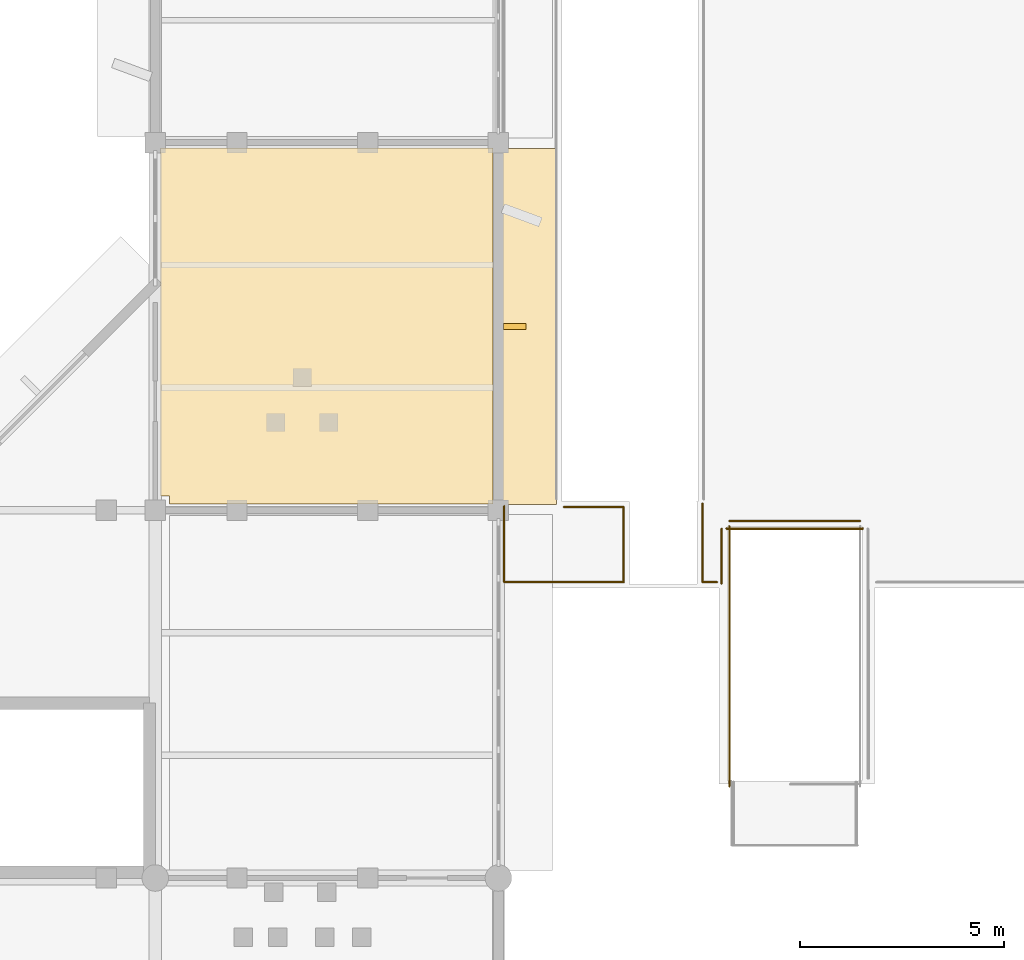
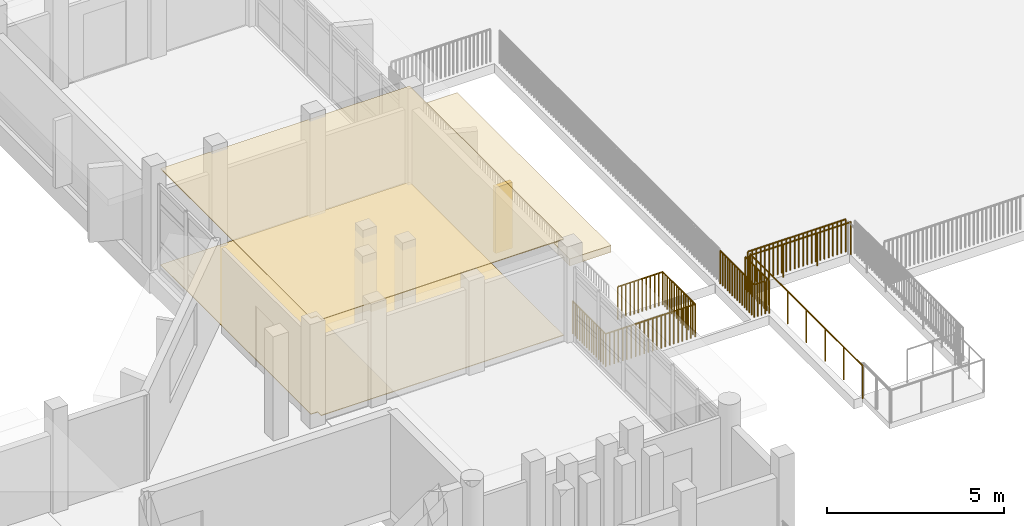
# One storey, part 78 of 92: 10 railings, 3 coverings, 1 shading device.
"""IFC4 building model written with IfcOpenShell, lengths in metres."""

from ifc_helpers import new_model, si_unit, direction, frame, origin, origin_2d, place, context, subcontext, project, spatial, polyline, rectangle, circle, outline, extrude, material, layer, layer_set, type_object, element, save


model = new_model("IFC4")

# Units and contexts
model_context = context("Model", 3, precision=1e-05, world=origin(), true_north=direction((0.0, 1.0)))
body_context = subcontext(model_context, "Body", "Model", "MODEL_VIEW")
ifc_project = project(units=[si_unit("LENGTHUNIT", "METRE"), si_unit("AREAUNIT", "SQUARE_METRE"), si_unit("VOLUMEUNIT", "CUBIC_METRE"), si_unit("PLANEANGLEUNIT", "RADIAN"), si_unit("MASSUNIT", "GRAM", prefix="KILO")], contexts=[model_context])

# Site, building, storey
site_placement = place(None, origin())
site = spatial("IfcSite", under=ifc_project, at=site_placement, CompositionType="ELEMENT")
building_placement = place(site_placement, origin())
building = spatial("IfcBuilding", under=site, at=building_placement, Name="Vanh Quang Courtyard School", CompositionType="ELEMENT")
storey_placement = place(building_placement, frame((0.0, 0.0, 7.800048828125)))
storey = spatial("IfcBuildingStorey", under=building, at=storey_placement, Name="L02", CompositionType="ELEMENT", Elevation=7.800048828125)

# Coverings
ifc_material_1 = material(Name="Perforated mineral-fibre acoustic ceiling board")
ifc_layer_1 = layer(ifc_material_1, 0.02490234375)
ifc_layer_set_1 = layer_set([ifc_layer_1], Name="Perforated mineral-fibre acoustic ceiling board")
covering_type_1 = type_object("IfcCoveringType", Name="COV-CEIL-ACOUSTIC", PredefinedType="CEILING", material=ifc_layer_set_1)
covering_1_placement = place(storey_placement, frame((0.0, 0.0, 3.31494140625)))
element("IfcCovering", 1, at=covering_1_placement, inside=storey, type_object=covering_type_1, Name="Covering CV-CL1 (L02)", PredefinedType="CEILING", context=body_context, shape_type="SweptSolid", body=[
    extrude(outline(polyline([(111.35009765625, 41.550048828125), (111.35009765625, 41.75), (111.1298828125, 41.75), (111.1298828125, 50.260009765625), (111.1298828125, 50.260986328125), (111.130126953125, 50.261962890625), (111.13037109375, 50.262939453125), (111.130859375, 50.263916015625), (111.131103515625, 50.2646484375), (111.131591796875, 50.265625), (111.13232421875, 50.266357421875), (111.1328125, 50.26708984375), (111.1337890625, 50.267578125), (111.134521484375, 50.268310546875), (111.13525390625, 50.268798828125), (111.13623046875, 50.269287109375), (111.13720703125, 50.26953125), (111.137939453125, 50.269775390625), (111.138916015625, 50.27001953125), (111.139892578125, 50.27001953125), (119.260009765625, 50.27001953125), (119.260986328125, 50.27001953125), (119.261962890625, 50.269775390625), (119.262939453125, 50.26953125), (119.263916015625, 50.269287109375), (119.2646484375, 50.268798828125), (119.265625, 50.268310546875), (119.266357421875, 50.267578125), (119.26708984375, 50.26708984375), (119.267578125, 50.266357421875), (119.268310546875, 50.265625), (119.268798828125, 50.2646484375), (119.269287109375, 50.263916015625), (119.26953125, 50.262939453125), (119.269775390625, 50.261962890625), (119.27001953125, 50.260986328125), (119.27001953125, 50.260009765625), (119.27001953125, 41.56005859375), (119.27001953125, 41.55908203125), (119.269775390625, 41.55810546875), (119.26953125, 41.55712890625), (119.269287109375, 41.55615234375), (119.268798828125, 41.555419921875), (119.268310546875, 41.554443359375), (119.267578125, 41.5537109375), (119.26708984375, 41.552978515625), (119.266357421875, 41.55224609375), (119.265625, 41.5517578125), (119.2646484375, 41.55126953125), (119.263916015625, 41.55078125), (119.262939453125, 41.55029296875), (119.261962890625, 41.55029296875), (119.260986328125, 41.550048828125), (119.260009765625, 41.550048828125), (111.35009765625, 41.550048828125)])), origin(), (0.0, 0.0, 1.0), 0.02490234375),
])
ifc_material_2 = material(Name="Polished cementitious terrazzo tile", Category="concrete")
ifc_layer_2 = layer(ifc_material_2, 0.02001953125)
ifc_layer_set_2 = layer_set([ifc_layer_2], Name="Polished cementitious terrazzo tile")
covering_type_2 = type_object("IfcCoveringType", Name="COV-FLR-TERRAZZO", PredefinedType="FLOORING", material=ifc_layer_set_2)
covering_2_placement = place(storey_placement, origin())
element("IfcCovering", 2, at=covering_2_placement, inside=storey, type_object=covering_type_2, Name="Covering CV-FL1 (L02)", PredefinedType="FLOORING", context=body_context, shape_type="SweptSolid", body=[
    extrude(outline(polyline([(111.35009765625, 41.550048828125), (111.35009765625, 41.75), (111.1298828125, 41.75), (111.1298828125, 50.260009765625), (111.1298828125, 50.260986328125), (111.130126953125, 50.261962890625), (111.13037109375, 50.262939453125), (111.130859375, 50.263916015625), (111.131103515625, 50.2646484375), (111.131591796875, 50.265625), (111.13232421875, 50.266357421875), (111.1328125, 50.26708984375), (111.1337890625, 50.267578125), (111.134521484375, 50.268310546875), (111.13525390625, 50.268798828125), (111.13623046875, 50.269287109375), (111.13720703125, 50.26953125), (111.137939453125, 50.269775390625), (111.138916015625, 50.27001953125), (111.139892578125, 50.27001953125), (119.260009765625, 50.27001953125), (119.260986328125, 50.27001953125), (119.261962890625, 50.269775390625), (119.262939453125, 50.26953125), (119.263916015625, 50.269287109375), (119.2646484375, 50.268798828125), (119.265625, 50.268310546875), (119.266357421875, 50.267578125), (119.26708984375, 50.26708984375), (119.267578125, 50.266357421875), (119.268310546875, 50.265625), (119.268798828125, 50.2646484375), (119.269287109375, 50.263916015625), (119.26953125, 50.262939453125), (119.269775390625, 50.261962890625), (119.27001953125, 50.260986328125), (119.27001953125, 50.260009765625), (119.27001953125, 41.56005859375), (119.27001953125, 41.55908203125), (119.269775390625, 41.55810546875), (119.26953125, 41.55712890625), (119.269287109375, 41.55615234375), (119.268798828125, 41.555419921875), (119.268310546875, 41.554443359375), (119.267578125, 41.5537109375), (119.26708984375, 41.552978515625), (119.266357421875, 41.55224609375), (119.265625, 41.5517578125), (119.2646484375, 41.55126953125), (119.263916015625, 41.55078125), (119.262939453125, 41.55029296875), (119.261962890625, 41.55029296875), (119.260986328125, 41.550048828125), (119.260009765625, 41.550048828125), (111.35009765625, 41.550048828125)])), origin(), (0.0, 0.0, 1.0), 0.02001953125),
])
ifc_material_3 = material(Name="Board-marked precast concrete C40/50", Category="concrete")
ifc_layer_3 = layer(ifc_material_3, 0.239990234375)
ifc_layer_set_3 = layer_set([ifc_layer_3], Name="Board-marked precast concrete C40/50")
covering_type_3 = type_object("IfcCoveringType", Name="COV-HOOD-CONC", PredefinedType="CLADDING", material=ifc_layer_set_3)
covering_3_placement = place(storey_placement, frame((120.139892578125, 45.89990234375, 2.33984375), z_axis=(0.0, 0.0, 1.0), x_axis=(0.0, -1.0, 0.0)))
element("IfcCovering", 3, at=covering_3_placement, inside=storey, type_object=covering_type_3, Name="Covering CH-01 (L02)", PredefinedType="CLADDING", context=body_context, shape_type="SweptSolid", body=[
    extrude(rectangle(XDim=8.7041015625, YDim=1.35009765625, at=origin_2d()), origin(), (0.0, 0.0, 1.0), 0.239990234375),
])

# Railings
ifc_material_4 = material(Name="Galvanised painted steel EN 10025-2 S355J2", Category="steel")
railing_type = type_object("IfcRailingType", Name="RAIL-GUARD-1150", PredefinedType="BALUSTRADE", material=ifc_material_4)
railing_1_placement = place(storey_placement, frame((119.5400390625, 39.639892578125, 0.0)))
element("IfcRailing", 4, at=railing_1_placement, inside=storey, type_object=railing_type, Name="Railing GR-01 (L02)", PredefinedType="BALUSTRADE", context=body_context, shape_type="SweptSolid", body=[
    extrude(circle(Radius=0.02392578125, at=origin_2d()), frame((0.0, 0.0, 1.1259765625), z_axis=(0.0, 1.0, 0.0), x_axis=(-1.0, 0.0, 0.0)), (0.0, 0.0, 1.0), 1.865478515625),
    extrude(circle(Radius=0.02099609375, at=origin_2d()), origin(), (0.0, 0.0, 1.0), 1.101806640625),
    extrude(circle(Radius=0.02099609375, at=origin_2d()), frame((0.0, 0.13330078125, 0.0)), (0.0, 0.0, 1.0), 1.101806640625),
    extrude(circle(Radius=0.02099609375, at=origin_2d()), frame((0.0, 0.2666015625, 0.0)), (0.0, 0.0, 1.0), 1.101806640625),
    extrude(circle(Radius=0.02099609375, at=origin_2d()), frame((0.0, 0.399658203125, 0.0)), (0.0, 0.0, 1.0), 1.101806640625),
    extrude(circle(Radius=0.02099609375, at=origin_2d()), frame((0.0, 0.532958984375, 0.0)), (0.0, 0.0, 1.0), 1.101806640625),
    extrude(circle(Radius=0.02099609375, at=origin_2d()), frame((0.0, 0.666259765625, 0.0)), (0.0, 0.0, 1.0), 1.101806640625),
    extrude(circle(Radius=0.02099609375, at=origin_2d()), frame((0.0, 0.799560546875, 0.0)), (0.0, 0.0, 1.0), 1.101806640625),
    extrude(circle(Radius=0.02099609375, at=origin_2d()), frame((0.0, 0.9326171875, 0.0)), (0.0, 0.0, 1.0), 1.101806640625),
    extrude(circle(Radius=0.02099609375, at=origin_2d()), frame((0.0, 1.06591796875, 0.0)), (0.0, 0.0, 1.0), 1.101806640625),
    extrude(circle(Radius=0.02099609375, at=origin_2d()), frame((0.0, 1.19921875, 0.0)), (0.0, 0.0, 1.0), 1.101806640625),
    extrude(circle(Radius=0.02099609375, at=origin_2d()), frame((0.0, 1.33251953125, 0.0)), (0.0, 0.0, 1.0), 1.101806640625),
    extrude(circle(Radius=0.02099609375, at=origin_2d()), frame((0.0, 1.4658203125, 0.0)), (0.0, 0.0, 1.0), 1.101806640625),
    extrude(circle(Radius=0.02099609375, at=origin_2d()), frame((0.0, 1.598876953125, 0.0)), (0.0, 0.0, 1.0), 1.101806640625),
    extrude(circle(Radius=0.02099609375, at=origin_2d()), frame((0.0, 1.732177734375, 0.0)), (0.0, 0.0, 1.0), 1.101806640625),
    extrude(circle(Radius=0.02099609375, at=origin_2d()), frame((0.0, 1.865478515625, 0.0)), (0.0, 0.0, 1.0), 1.101806640625),
])
railing_2_placement = place(storey_placement, frame((128.25, 41.139892578125, 0.0)))
element("IfcRailing", 5, at=railing_2_placement, inside=storey, type_object=railing_type, Name="Railing GR-01 (L02)", PredefinedType="BALUSTRADE", context=body_context, shape_type="SweptSolid", body=[
    extrude(circle(Radius=0.02392578125, at=origin_2d()), frame((0.0, 0.0, 1.1259765625), z_axis=(-1.0, 0.0, 0.0), x_axis=(0.0, -1.0, 0.0)), (0.0, 0.0, 1.0), 3.199951171875),
    extrude(circle(Radius=0.02099609375, at=origin_2d()), origin(), (0.0, 0.0, 1.0), 1.101806640625),
    extrude(circle(Radius=0.02099609375, at=origin_2d()), frame((-0.13916015625, 0.0, 0.0)), (0.0, 0.0, 1.0), 1.101806640625),
    extrude(circle(Radius=0.02099609375, at=origin_2d()), frame((-0.2783203125, 0.0, 0.0)), (0.0, 0.0, 1.0), 1.101806640625),
    extrude(circle(Radius=0.02099609375, at=origin_2d()), frame((-0.41748046875, 0.0, 0.0)), (0.0, 0.0, 1.0), 1.101806640625),
    extrude(circle(Radius=0.02099609375, at=origin_2d()), frame((-0.556396484375, 0.0, 0.0)), (0.0, 0.0, 1.0), 1.101806640625),
    extrude(circle(Radius=0.02099609375, at=origin_2d()), frame((-0.695556640625, 0.0, 0.0)), (0.0, 0.0, 1.0), 1.101806640625),
    extrude(circle(Radius=0.02099609375, at=origin_2d()), frame((-0.834716796875, 0.0, 0.0)), (0.0, 0.0, 1.0), 1.101806640625),
    extrude(circle(Radius=0.02099609375, at=origin_2d()), frame((-0.973876953125, 0.0, 0.0)), (0.0, 0.0, 1.0), 1.101806640625),
    extrude(circle(Radius=0.02099609375, at=origin_2d()), frame((-1.113037109375, 0.0, 0.0)), (0.0, 0.0, 1.0), 1.101806640625),
    extrude(circle(Radius=0.02099609375, at=origin_2d()), frame((-1.252197265625, 0.0, 0.0)), (0.0, 0.0, 1.0), 1.101806640625),
    extrude(circle(Radius=0.02099609375, at=origin_2d()), frame((-1.391357421875, 0.0, 0.0)), (0.0, 0.0, 1.0), 1.101806640625),
    extrude(circle(Radius=0.02099609375, at=origin_2d()), frame((-1.530517578125, 0.0, 0.0)), (0.0, 0.0, 1.0), 1.101806640625),
    extrude(circle(Radius=0.02099609375, at=origin_2d()), frame((-1.66943359375, 0.0, 0.0)), (0.0, 0.0, 1.0), 1.101806640625),
    extrude(circle(Radius=0.02099609375, at=origin_2d()), frame((-1.80859375, 0.0, 0.0)), (0.0, 0.0, 1.0), 1.101806640625),
    extrude(circle(Radius=0.02099609375, at=origin_2d()), frame((-1.94775390625, 0.0, 0.0)), (0.0, 0.0, 1.0), 1.101806640625),
    extrude(circle(Radius=0.02099609375, at=origin_2d()), frame((-2.0869140625, 0.0, 0.0)), (0.0, 0.0, 1.0), 1.101806640625),
    extrude(circle(Radius=0.02099609375, at=origin_2d()), frame((-2.22607421875, 0.0, 0.0)), (0.0, 0.0, 1.0), 1.101806640625),
    extrude(circle(Radius=0.02099609375, at=origin_2d()), frame((-2.365234375, 0.0, 0.0)), (0.0, 0.0, 1.0), 1.101806640625),
    extrude(circle(Radius=0.02099609375, at=origin_2d()), frame((-2.50439453125, 0.0, 0.0)), (0.0, 0.0, 1.0), 1.101806640625),
    extrude(circle(Radius=0.02099609375, at=origin_2d()), frame((-2.6435546875, 0.0, 0.0)), (0.0, 0.0, 1.0), 1.101806640625),
    extrude(circle(Radius=0.02099609375, at=origin_2d()), frame((-2.782470703125, 0.0, 0.0)), (0.0, 0.0, 1.0), 1.101806640625),
    extrude(circle(Radius=0.02099609375, at=origin_2d()), frame((-2.921630859375, 0.0, 0.0)), (0.0, 0.0, 1.0), 1.101806640625),
    extrude(circle(Radius=0.02099609375, at=origin_2d()), frame((-3.060791015625, 0.0, 0.0)), (0.0, 0.0, 1.0), 1.101806640625),
    extrude(circle(Radius=0.02099609375, at=origin_2d()), frame((-3.199951171875, 0.0, 0.0)), (0.0, 0.0, 1.0), 1.101806640625),
])
railing_3_placement = place(storey_placement, frame((124.860107421875, 40.949951171875, 0.0)))
element("IfcRailing", 6, at=railing_3_placement, inside=storey, type_object=railing_type, Name="Railing GR-01 (L02)", PredefinedType="BALUSTRADE", context=body_context, shape_type="SweptSolid", body=[
    extrude(circle(Radius=0.02392578125, at=origin_2d()), frame((0.0, 0.0, 1.1259765625), z_axis=(0.0, -1.0, 0.0), x_axis=(1.0, 0.0, 0.0)), (0.0, 0.0, 1.0), 1.34521484375),
    extrude(circle(Radius=0.02099609375, at=origin_2d()), origin(), (0.0, 0.0, 1.0), 1.101806640625),
    extrude(circle(Radius=0.02099609375, at=origin_2d()), frame((0.0, -0.134521484375, 0.0)), (0.0, 0.0, 1.0), 1.101806640625),
    extrude(circle(Radius=0.02099609375, at=origin_2d()), frame((0.0, -0.26904296875, 0.0)), (0.0, 0.0, 1.0), 1.101806640625),
    extrude(circle(Radius=0.02099609375, at=origin_2d()), frame((0.0, -0.403564453125, 0.0)), (0.0, 0.0, 1.0), 1.101806640625),
    extrude(circle(Radius=0.02099609375, at=origin_2d()), frame((0.0, -0.5380859375, 0.0)), (0.0, 0.0, 1.0), 1.101806640625),
    extrude(circle(Radius=0.02099609375, at=origin_2d()), frame((0.0, -0.672607421875, 0.0)), (0.0, 0.0, 1.0), 1.101806640625),
    extrude(circle(Radius=0.02099609375, at=origin_2d()), frame((0.0, -0.80712890625, 0.0)), (0.0, 0.0, 1.0), 1.101806640625),
    extrude(circle(Radius=0.02099609375, at=origin_2d()), frame((0.0, -0.941650390625, 0.0)), (0.0, 0.0, 1.0), 1.101806640625),
    extrude(circle(Radius=0.02099609375, at=origin_2d()), frame((0.0, -1.076171875, 0.0)), (0.0, 0.0, 1.0), 1.101806640625),
    extrude(circle(Radius=0.02099609375, at=origin_2d()), frame((0.0, -1.210693359375, 0.0)), (0.0, 0.0, 1.0), 1.101806640625),
    extrude(circle(Radius=0.02099609375, at=origin_2d()), frame((0.0, -1.34521484375, 0.0)), (0.0, 0.0, 1.0), 1.101806640625),
])
railing_4_placement = place(storey_placement, frame((124.75, 39.639892578125, 0.0)))
element("IfcRailing", 7, at=railing_4_placement, inside=storey, type_object=railing_type, Name="Railing GR-01 (L02)", PredefinedType="BALUSTRADE", context=body_context, shape_type="SweptSolid", body=[
    extrude(circle(Radius=0.02392578125, at=origin_2d()), frame((0.0, 0.0, 1.1259765625), z_axis=(-1.0, 0.0, 0.0), x_axis=(0.0, -1.0, 0.0)), (0.0, 0.0, 1.0), 0.35498046875),
    extrude(circle(Radius=0.02099609375, at=origin_2d()), origin(), (0.0, 0.0, 1.0), 1.101806640625),
    extrude(circle(Radius=0.02099609375, at=origin_2d()), frame((-0.118408203125, 0.0, 0.0)), (0.0, 0.0, 1.0), 1.101806640625),
    extrude(circle(Radius=0.02099609375, at=origin_2d()), frame((-0.236572265625, 0.0, 0.0)), (0.0, 0.0, 1.0), 1.101806640625),
    extrude(circle(Radius=0.02099609375, at=origin_2d()), frame((-0.35498046875, 0.0, 0.0)), (0.0, 0.0, 1.0), 1.101806640625),
])
railing_5_placement = place(storey_placement, frame((124.39501953125, 39.639892578125, 0.0)))
element("IfcRailing", 8, at=railing_5_placement, inside=storey, type_object=railing_type, Name="Railing GR-01 (L02)", PredefinedType="BALUSTRADE", context=body_context, shape_type="SweptSolid", body=[
    extrude(circle(Radius=0.02392578125, at=origin_2d()), frame((0.0, 0.0, 1.1259765625), z_axis=(0.0, 1.0, 0.0), x_axis=(-1.0, 0.0, 0.0)), (0.0, 0.0, 1.0), 1.925048828125),
    extrude(circle(Radius=0.02099609375, at=origin_2d()), origin(), (0.0, 0.0, 1.0), 1.101806640625),
    extrude(circle(Radius=0.02099609375, at=origin_2d()), frame((0.0, 0.137451171875, 0.0)), (0.0, 0.0, 1.0), 1.101806640625),
    extrude(circle(Radius=0.02099609375, at=origin_2d()), frame((0.0, 0.27490234375, 0.0)), (0.0, 0.0, 1.0), 1.101806640625),
    extrude(circle(Radius=0.02099609375, at=origin_2d()), frame((0.0, 0.41259765625, 0.0)), (0.0, 0.0, 1.0), 1.101806640625),
    extrude(circle(Radius=0.02099609375, at=origin_2d()), frame((0.0, 0.550048828125, 0.0)), (0.0, 0.0, 1.0), 1.101806640625),
    extrude(circle(Radius=0.02099609375, at=origin_2d()), frame((0.0, 0.6875, 0.0)), (0.0, 0.0, 1.0), 1.101806640625),
    extrude(circle(Radius=0.02099609375, at=origin_2d()), frame((0.0, 0.824951171875, 0.0)), (0.0, 0.0, 1.0), 1.101806640625),
    extrude(circle(Radius=0.02099609375, at=origin_2d()), frame((0.0, 0.96240234375, 0.0)), (0.0, 0.0, 1.0), 1.101806640625),
    extrude(circle(Radius=0.02099609375, at=origin_2d()), frame((0.0, 1.10009765625, 0.0)), (0.0, 0.0, 1.0), 1.101806640625),
    extrude(circle(Radius=0.02099609375, at=origin_2d()), frame((0.0, 1.237548828125, 0.0)), (0.0, 0.0, 1.0), 1.101806640625),
    extrude(circle(Radius=0.02099609375, at=origin_2d()), frame((0.0, 1.375, 0.0)), (0.0, 0.0, 1.0), 1.101806640625),
    extrude(circle(Radius=0.02099609375, at=origin_2d()), frame((0.0, 1.512451171875, 0.0)), (0.0, 0.0, 1.0), 1.101806640625),
    extrude(circle(Radius=0.02099609375, at=origin_2d()), frame((0.0, 1.650146484375, 0.0)), (0.0, 0.0, 1.0), 1.101806640625),
    extrude(circle(Radius=0.02099609375, at=origin_2d()), frame((0.0, 1.78759765625, 0.0)), (0.0, 0.0, 1.0), 1.101806640625),
    extrude(circle(Radius=0.02099609375, at=origin_2d()), frame((0.0, 1.925048828125, 0.0)), (0.0, 0.0, 1.0), 1.101806640625),
])
railing_6_placement = place(storey_placement, frame((121.0, 41.47998046875, 0.0)))
element("IfcRailing", 9, at=railing_6_placement, inside=storey, type_object=railing_type, Name="Railing GR-01 (L02)", PredefinedType="BALUSTRADE", context=body_context, shape_type="SweptSolid", body=[
    extrude(circle(Radius=0.02392578125, at=origin_2d()), frame((0.0, 0.0, 1.1259765625), z_axis=(1.0, 0.0, 0.0), x_axis=(0.0, 1.0, 0.0)), (0.0, 0.0, 1.0), 1.465087890625),
    extrude(circle(Radius=0.02099609375, at=origin_2d()), origin(), (0.0, 0.0, 1.0), 1.101806640625),
    extrude(circle(Radius=0.02099609375, at=origin_2d()), frame((0.13330078125, 0.0, 0.0)), (0.0, 0.0, 1.0), 1.101806640625),
    extrude(circle(Radius=0.02099609375, at=origin_2d()), frame((0.266357421875, 0.0, 0.0)), (0.0, 0.0, 1.0), 1.101806640625),
    extrude(circle(Radius=0.02099609375, at=origin_2d()), frame((0.399658203125, 0.0, 0.0)), (0.0, 0.0, 1.0), 1.101806640625),
    extrude(circle(Radius=0.02099609375, at=origin_2d()), frame((0.53271484375, 0.0, 0.0)), (0.0, 0.0, 1.0), 1.101806640625),
    extrude(circle(Radius=0.02099609375, at=origin_2d()), frame((0.666015625, 0.0, 0.0)), (0.0, 0.0, 1.0), 1.101806640625),
    extrude(circle(Radius=0.02099609375, at=origin_2d()), frame((0.799072265625, 0.0, 0.0)), (0.0, 0.0, 1.0), 1.101806640625),
    extrude(circle(Radius=0.02099609375, at=origin_2d()), frame((0.932373046875, 0.0, 0.0)), (0.0, 0.0, 1.0), 1.101806640625),
    extrude(circle(Radius=0.02099609375, at=origin_2d()), frame((1.0654296875, 0.0, 0.0)), (0.0, 0.0, 1.0), 1.101806640625),
    extrude(circle(Radius=0.02099609375, at=origin_2d()), frame((1.19873046875, 0.0, 0.0)), (0.0, 0.0, 1.0), 1.101806640625),
    extrude(circle(Radius=0.02099609375, at=origin_2d()), frame((1.331787109375, 0.0, 0.0)), (0.0, 0.0, 1.0), 1.101806640625),
    extrude(circle(Radius=0.02099609375, at=origin_2d()), frame((1.465087890625, 0.0, 0.0)), (0.0, 0.0, 1.0), 1.101806640625),
])
railing_7_placement = place(storey_placement, frame((122.465087890625, 41.47998046875, 0.0)))
element("IfcRailing", 10, at=railing_7_placement, inside=storey, type_object=railing_type, Name="Railing GR-01 (L02)", PredefinedType="BALUSTRADE", context=body_context, shape_type="SweptSolid", body=[
    extrude(circle(Radius=0.02392578125, at=origin_2d()), frame((0.0, 0.0, 1.1259765625), z_axis=(0.0, -1.0, 0.0), x_axis=(1.0, 0.0, 0.0)), (0.0, 0.0, 1.0), 1.840087890625),
    extrude(circle(Radius=0.02099609375, at=origin_2d()), origin(), (0.0, 0.0, 1.0), 1.101806640625),
    extrude(circle(Radius=0.02099609375, at=origin_2d()), frame((0.0, -0.13134765625, 0.0)), (0.0, 0.0, 1.0), 1.101806640625),
    extrude(circle(Radius=0.02099609375, at=origin_2d()), frame((0.0, -0.262939453125, 0.0)), (0.0, 0.0, 1.0), 1.101806640625),
    extrude(circle(Radius=0.02099609375, at=origin_2d()), frame((0.0, -0.394287109375, 0.0)), (0.0, 0.0, 1.0), 1.101806640625),
    extrude(circle(Radius=0.02099609375, at=origin_2d()), frame((0.0, -0.525634765625, 0.0)), (0.0, 0.0, 1.0), 1.101806640625),
    extrude(circle(Radius=0.02099609375, at=origin_2d()), frame((0.0, -0.6572265625, 0.0)), (0.0, 0.0, 1.0), 1.101806640625),
    extrude(circle(Radius=0.02099609375, at=origin_2d()), frame((0.0, -0.78857421875, 0.0)), (0.0, 0.0, 1.0), 1.101806640625),
    extrude(circle(Radius=0.02099609375, at=origin_2d()), frame((0.0, -0.919921875, 0.0)), (0.0, 0.0, 1.0), 1.101806640625),
    extrude(circle(Radius=0.02099609375, at=origin_2d()), frame((0.0, -1.051513671875, 0.0)), (0.0, 0.0, 1.0), 1.101806640625),
    extrude(circle(Radius=0.02099609375, at=origin_2d()), frame((0.0, -1.182861328125, 0.0)), (0.0, 0.0, 1.0), 1.101806640625),
    extrude(circle(Radius=0.02099609375, at=origin_2d()), frame((0.0, -1.314453125, 0.0)), (0.0, 0.0, 1.0), 1.101806640625),
    extrude(circle(Radius=0.02099609375, at=origin_2d()), frame((0.0, -1.44580078125, 0.0)), (0.0, 0.0, 1.0), 1.101806640625),
    extrude(circle(Radius=0.02099609375, at=origin_2d()), frame((0.0, -1.5771484375, 0.0)), (0.0, 0.0, 1.0), 1.101806640625),
    extrude(circle(Radius=0.02099609375, at=origin_2d()), frame((0.0, -1.708740234375, 0.0)), (0.0, 0.0, 1.0), 1.101806640625),
    extrude(circle(Radius=0.02099609375, at=origin_2d()), frame((0.0, -1.840087890625, 0.0)), (0.0, 0.0, 1.0), 1.101806640625),
])
railing_8_placement = place(storey_placement, frame((122.465087890625, 39.639892578125, 0.0)))
element("IfcRailing", 11, at=railing_8_placement, inside=storey, type_object=railing_type, Name="Railing GR-01 (L02)", PredefinedType="BALUSTRADE", context=body_context, shape_type="SweptSolid", body=[
    extrude(circle(Radius=0.02392578125, at=origin_2d()), frame((0.0, 0.0, 1.1259765625), z_axis=(-1.0, 0.0, 0.0), x_axis=(0.0, -1.0, 0.0)), (0.0, 0.0, 1.0), 2.925048828125),
    extrude(circle(Radius=0.02099609375, at=origin_2d()), origin(), (0.0, 0.0, 1.0), 1.101806640625),
    extrude(circle(Radius=0.02099609375, at=origin_2d()), frame((-0.139404296875, 0.0, 0.0)), (0.0, 0.0, 1.0), 1.101806640625),
    extrude(circle(Radius=0.02099609375, at=origin_2d()), frame((-0.278564453125, 0.0, 0.0)), (0.0, 0.0, 1.0), 1.101806640625),
    extrude(circle(Radius=0.02099609375, at=origin_2d()), frame((-0.41796875, 0.0, 0.0)), (0.0, 0.0, 1.0), 1.101806640625),
    extrude(circle(Radius=0.02099609375, at=origin_2d()), frame((-0.55712890625, 0.0, 0.0)), (0.0, 0.0, 1.0), 1.101806640625),
    extrude(circle(Radius=0.02099609375, at=origin_2d()), frame((-0.696533203125, 0.0, 0.0)), (0.0, 0.0, 1.0), 1.101806640625),
    extrude(circle(Radius=0.02099609375, at=origin_2d()), frame((-0.835693359375, 0.0, 0.0)), (0.0, 0.0, 1.0), 1.101806640625),
    extrude(circle(Radius=0.02099609375, at=origin_2d()), frame((-0.97509765625, 0.0, 0.0)), (0.0, 0.0, 1.0), 1.101806640625),
    extrude(circle(Radius=0.02099609375, at=origin_2d()), frame((-1.1142578125, 0.0, 0.0)), (0.0, 0.0, 1.0), 1.101806640625),
    extrude(circle(Radius=0.02099609375, at=origin_2d()), frame((-1.253662109375, 0.0, 0.0)), (0.0, 0.0, 1.0), 1.101806640625),
    extrude(circle(Radius=0.02099609375, at=origin_2d()), frame((-1.392822265625, 0.0, 0.0)), (0.0, 0.0, 1.0), 1.101806640625),
    extrude(circle(Radius=0.02099609375, at=origin_2d()), frame((-1.5322265625, 0.0, 0.0)), (0.0, 0.0, 1.0), 1.101806640625),
    extrude(circle(Radius=0.02099609375, at=origin_2d()), frame((-1.67138671875, 0.0, 0.0)), (0.0, 0.0, 1.0), 1.101806640625),
    extrude(circle(Radius=0.02099609375, at=origin_2d()), frame((-1.810791015625, 0.0, 0.0)), (0.0, 0.0, 1.0), 1.101806640625),
    extrude(circle(Radius=0.02099609375, at=origin_2d()), frame((-1.949951171875, 0.0, 0.0)), (0.0, 0.0, 1.0), 1.101806640625),
    extrude(circle(Radius=0.02099609375, at=origin_2d()), frame((-2.08935546875, 0.0, 0.0)), (0.0, 0.0, 1.0), 1.101806640625),
    extrude(circle(Radius=0.02099609375, at=origin_2d()), frame((-2.228515625, 0.0, 0.0)), (0.0, 0.0, 1.0), 1.101806640625),
    extrude(circle(Radius=0.02099609375, at=origin_2d()), frame((-2.367919921875, 0.0, 0.0)), (0.0, 0.0, 1.0), 1.101806640625),
    extrude(circle(Radius=0.02099609375, at=origin_2d()), frame((-2.507080078125, 0.0, 0.0)), (0.0, 0.0, 1.0), 1.101806640625),
    extrude(circle(Radius=0.02099609375, at=origin_2d()), frame((-2.646484375, 0.0, 0.0)), (0.0, 0.0, 1.0), 1.101806640625),
    extrude(circle(Radius=0.02099609375, at=origin_2d()), frame((-2.78564453125, 0.0, 0.0)), (0.0, 0.0, 1.0), 1.101806640625),
    extrude(circle(Radius=0.02099609375, at=origin_2d()), frame((-2.925048828125, 0.0, 0.0)), (0.0, 0.0, 1.0), 1.101806640625),
])
railing_9_placement = place(storey_placement, frame((125.050048828125, 34.637939453125, 0.0)))
element("IfcRailing", 12, at=railing_9_placement, inside=storey, type_object=railing_type, Name="L02 ST-T2 top well guard 3", PredefinedType="BALUSTRADE", context=body_context, shape_type="SweptSolid", body=[
    extrude(circle(Radius=0.02392578125, at=origin_2d()), frame((0.0, 0.0, 1.1259765625), z_axis=(0.0, 1.0, 0.0), x_axis=(-1.0, 0.0, 0.0)), (0.0, 0.0, 1.0), 6.3740234375),
    extrude(circle(Radius=0.02099609375, at=origin_2d()), origin(), (0.0, 0.0, 1.0), 1.101806640625),
    extrude(circle(Radius=0.02099609375, at=origin_2d()), frame((0.0, 1.062255859375, 0.0)), (0.0, 0.0, 1.0), 1.101806640625),
    extrude(circle(Radius=0.02099609375, at=origin_2d()), frame((0.0, 2.124755859375, 0.0)), (0.0, 0.0, 1.0), 1.101806640625),
    extrude(circle(Radius=0.02099609375, at=origin_2d()), frame((0.0, 3.18701171875, 0.0)), (0.0, 0.0, 1.0), 1.101806640625),
    extrude(circle(Radius=0.02099609375, at=origin_2d()), frame((0.0, 4.249267578125, 0.0)), (0.0, 0.0, 1.0), 1.101806640625),
    extrude(circle(Radius=0.02099609375, at=origin_2d()), frame((0.0, 5.311767578125, 0.0)), (0.0, 0.0, 1.0), 1.101806640625),
    extrude(circle(Radius=0.02099609375, at=origin_2d()), frame((0.0, 6.3740234375, 0.0)), (0.0, 0.0, 1.0), 1.101806640625),
])
railing_10_placement = place(storey_placement, frame((128.31201171875, 40.949951171875, 0.0)))
element("IfcRailing", 13, at=railing_10_placement, inside=storey, type_object=railing_type, Name="L02 ST-T2 top well guard 4", PredefinedType="BALUSTRADE", context=body_context, shape_type="SweptSolid", body=[
    extrude(circle(Radius=0.02392578125, at=origin_2d()), frame((0.0, 0.0, 1.1259765625), z_axis=(-1.0, 0.0, 0.0), x_axis=(0.0, -1.0, 0.0)), (0.0, 0.0, 1.0), 3.323974609375),
    extrude(circle(Radius=0.02099609375, at=origin_2d()), origin(), (0.0, 0.0, 1.0), 1.101806640625),
    extrude(circle(Radius=0.02099609375, at=origin_2d()), frame((-1.10791015625, 0.0, 0.0)), (0.0, 0.0, 1.0), 1.101806640625),
    extrude(circle(Radius=0.02099609375, at=origin_2d()), frame((-2.216064453125, 0.0, 0.0)), (0.0, 0.0, 1.0), 1.101806640625),
    extrude(circle(Radius=0.02099609375, at=origin_2d()), frame((-3.323974609375, 0.0, 0.0)), (0.0, 0.0, 1.0), 1.101806640625),
])

# Shading device
shading_device_type = type_object("IfcShadingDeviceType", Name="SHD-FIN-CONCRETE", PredefinedType="USERDEFINED", material=ifc_material_3)
shading_device_placement = place(storey_placement, frame((119.794921875, 45.89990234375, 0.14990234375), z_axis=(0.0, 0.0, 1.0), x_axis=(0.0, -1.0, 0.0)))
element("IfcShadingDevice", 14, at=shading_device_placement, inside=storey, type_object=shading_device_type, Name="Solar Shading SH-02 (L02)", ObjectType="Solar Shading SH-02 (L02)", PredefinedType="USERDEFINED", context=body_context, shape_type="SweptSolid", body=[
    extrude(rectangle(XDim=0.139892578125, YDim=0.550048828125, at=origin_2d()), origin(), (0.0, 0.0, 1.0), 2.280029296875),
])

save(model, "model.ifc")
